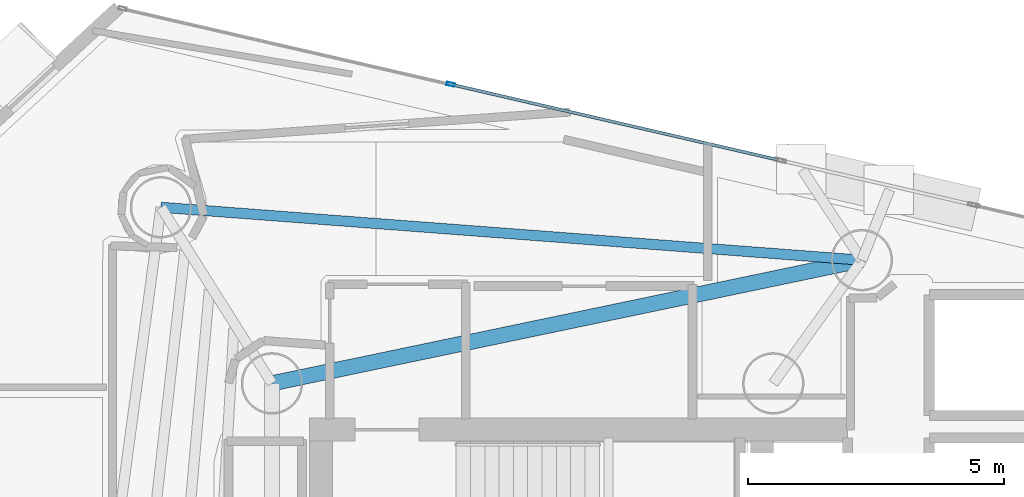
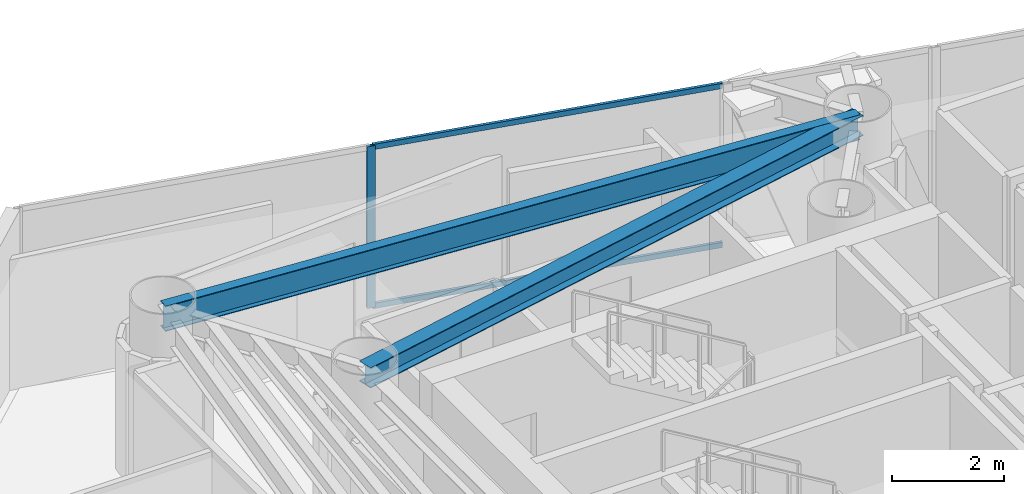
# One storey, part 11 of 22: 3 members, 2 beams, 1 element without a shape of its own.
"""IFC4 building model written with IfcOpenShell, lengths in metres."""

from ifc_helpers import new_model, si_unit, direction, frame, origin, origin_2d, place, context, subcontext, project, spatial, hollow_rectangle, i_section, extrude, material, layer, layer_set, material_profile, profile_set, type_object, element, aggregate, save


model = new_model("IFC4")

# Units and contexts
model_context = context("Model", 3, precision=1e-05, world=origin(), true_north=direction((0.0, 1.0)))
body_context = subcontext(model_context, "Body", "Model", "MODEL_VIEW")
ifc_project = project(units=[si_unit("LENGTHUNIT", "METRE"), si_unit("AREAUNIT", "SQUARE_METRE"), si_unit("VOLUMEUNIT", "CUBIC_METRE"), si_unit("PLANEANGLEUNIT", "RADIAN"), si_unit("MASSUNIT", "GRAM", prefix="KILO")], contexts=[model_context])

# Site, building, storey
site_placement = place(None, origin())
site = spatial("IfcSite", under=ifc_project, at=site_placement, CompositionType="ELEMENT")
building_placement = place(site_placement, origin())
building = spatial("IfcBuilding", under=site, at=building_placement, Name="Qianvela Tower", CompositionType="ELEMENT")
storey_placement = place(building_placement, frame((0.0, 0.0, 196.60009765625)))
storey = spatial("IfcBuildingStorey", under=building, at=storey_placement, Name="L50", CompositionType="ELEMENT", Elevation=196.60009765625)

# Beams
ifc_material_1 = material(Name="Steel Q355B", Category="steel")
ifc_material_profile_1 = material_profile(ifc_material_1, i_section(OverallWidth=0.300048828125, OverallDepth=0.43994140625, WebThickness=0.010986328125, FlangeThickness=0.01806640625, at=origin_2d()), Name="HM440x300x11x18")
ifc_profile_set_1 = profile_set([ifc_material_profile_1], Name="Steel Q355B")
beam_type_1 = type_object("IfcBeamType", Name="BM-HM440-COLL", PredefinedType="BEAM", material=ifc_profile_set_1)
beam_1_placement = place(storey_placement, frame((28.60009765625, 33.550048828125, 3.2978515625), z_axis=(0.978884270582, 0.204415226456, 0.0), x_axis=(-0.204415226456, 0.978884270582, 0.0)))
element("IfcBeam", 1, at=beam_1_placement, inside=storey, type_object=beam_type_1, Name="L50 Perimeter Ring Tie Girder 1B", PredefinedType="BEAM", context=body_context, shape_type="SweptSolid", body=[
    extrude(i_section(OverallWidth=0.300048828125, OverallDepth=0.43994140625, WebThickness=0.010986328125, FlangeThickness=0.01806640625, at=origin_2d()), origin(), (0.0, 0.0, 1.0), 11.77978515625),
])
ifc_material_2 = material(Name="Steel Q355B", Category="steel")
ifc_material_profile_2 = material_profile(ifc_material_2, i_section(OverallWidth=0.199951171875, OverallDepth=0.550048828125, WebThickness=0.010009765625, FlangeThickness=0.01611328125, at=origin_2d()), Name="HN550x200x10x16")
ifc_profile_set_2 = profile_set([ifc_material_profile_2], Name="Steel Q355B")
beam_type_2 = type_object("IfcBeamType", Name="BM-HN550-GIRD", PredefinedType="BEAM", material=ifc_profile_set_2)
beam_2_placement = place(storey_placement, frame((40.131103515625, 35.9580078125, 3.242919921875), z_axis=(-0.997164346928, 0.075254669065, 0.0), x_axis=(-0.075254669065, -0.997164346928, 0.0)))
element("IfcBeam", 2, at=beam_2_placement, inside=storey, type_object=beam_type_2, Name="L50 Perimeter Ring Spandrel Girder 2", PredefinedType="BEAM", context=body_context, shape_type="SweptSolid", body=[
    extrude(i_section(OverallWidth=0.199951171875, OverallDepth=0.550048828125, WebThickness=0.010009765625, FlangeThickness=0.01611328125, at=origin_2d()), origin(), (0.0, 0.0, 1.0), 13.7392578125),
])

# Curtain wall, members
ifc_material_3 = material(Name="Anodised Architectural Aluminium and Low-E Glass", Category="aluminium")
ifc_layer = layer(ifc_material_3, 0.159912109375)
ifc_layer_set = layer_set([ifc_layer], Name="Anodised Architectural Aluminium and Low-E Glass")
curtain_wall_type = type_object("IfcCurtainWallType", Name="CW-COLIV-Z56", PredefinedType="USERDEFINED", material=ifc_layer_set)
curtain_wall_placement = place(storey_placement, origin())
curtain_wall = element("IfcCurtainWall", 3, at=curtain_wall_placement, inside=storey, type_object=curtain_wall_type, Name="L50 CW-COLIV-Z56 Curtain Wall 02C", ObjectType="CURTAIN_WALL_SYSTEM", PredefinedType="USERDEFINED")
ifc_material_4 = material(Name="Anodised Architectural Aluminium 6063-T6", Category="aluminium")
ifc_material_profile_3 = material_profile(ifc_material_4, hollow_rectangle(XDim=0.06494140625, YDim=0.159912109375, WallThickness=0.0048828125, at=origin_2d()), Name="ALU-MULL-65x160")
ifc_profile_set_3 = profile_set([ifc_material_profile_3], Name="Anodised Architectural Aluminium 6063-T6")
member_type_1 = type_object("IfcMemberType", Name="CW-COLIV-Z56-MULL", PredefinedType="MULLION", material=ifc_profile_set_3)
member_1_placement = place(storey_placement, frame((32.094482421875, 39.394775390625, 0.0), z_axis=(0.0, 0.0, 1.0), x_axis=(-0.224835765484, -0.974396674132, 0.0)))
member_1 = element("IfcMember", 4, at=member_1_placement, type_object=member_type_1, Name="CW-5 mullion 2", PredefinedType="MULLION", context=body_context, shape_type="SweptSolid", body=[
    extrude(hollow_rectangle(XDim=0.06494140625, YDim=0.159912109375, WallThickness=0.0048828125, at=origin_2d()), origin(), (0.0, 0.0, 1.0), 3.52001953125),
])
ifc_material_5 = material(Name="Anodised Architectural Aluminium 6063-T6", Category="aluminium")
ifc_material_profile_4 = material_profile(ifc_material_5, hollow_rectangle(XDim=0.06005859375, YDim=0.114990234375, WallThickness=0.00390625, at=origin_2d()), Name="ALU-TRAN-60x115")
ifc_profile_set_4 = profile_set([ifc_material_profile_4], Name="Anodised Architectural Aluminium 6063-T6")
member_type_2 = type_object("IfcMemberType", Name="CW-COLIV-Z56-TRAN", PredefinedType="USERDEFINED", material=ifc_profile_set_4)
member_2_placement = place(storey_placement, frame((38.4755859375, 37.92236328125, 0.02978515625), z_axis=(-0.974398141048, 0.224829408045, 0.0), x_axis=(-0.224829408045, -0.974398141048, 0.0)))
member_2 = element("IfcMember", 5, at=member_2_placement, type_object=member_type_2, Name="CW-5 transom 1.1", ObjectType="TRANSOM", PredefinedType="USERDEFINED", context=body_context, shape_type="SweptSolid", body=[
    extrude(hollow_rectangle(XDim=0.06005859375, YDim=0.114990234375, WallThickness=0.00390625, at=origin_2d()), origin(), (0.0, 0.0, 1.0), 6.516357421875),
])
member_3_placement = place(storey_placement, frame((38.4755859375, 37.92236328125, 3.489990234375), z_axis=(-0.974398141048, 0.224829408045, 0.0), x_axis=(-0.224829408045, -0.974398141048, 0.0)))
member_3 = element("IfcMember", 6, at=member_3_placement, type_object=member_type_2, Name="CW-5 transom 1.2", ObjectType="TRANSOM", PredefinedType="USERDEFINED", context=body_context, shape_type="SweptSolid", body=[
    extrude(hollow_rectangle(XDim=0.06005859375, YDim=0.114990234375, WallThickness=0.00390625, at=origin_2d()), origin(), (0.0, 0.0, 1.0), 6.516357421875),
])
aggregate(curtain_wall, [member_1, member_2, member_3])

save(model, "model.ifc")
